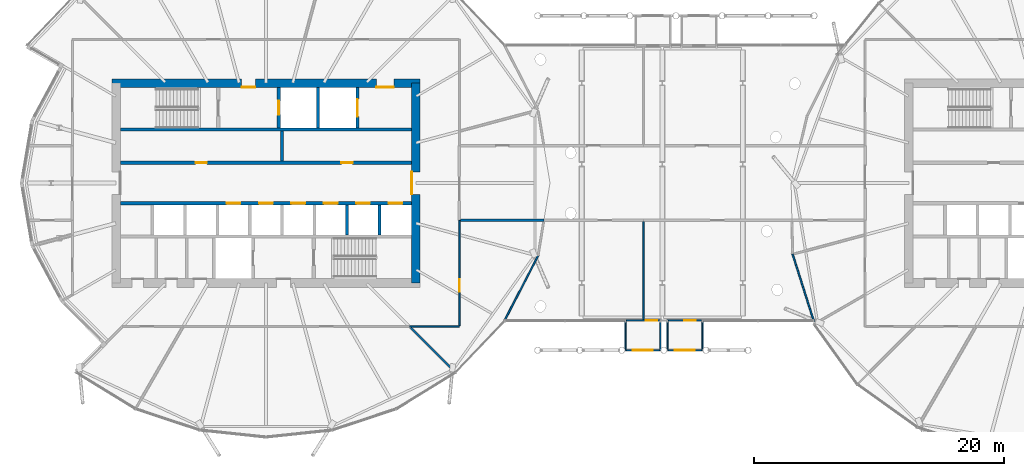
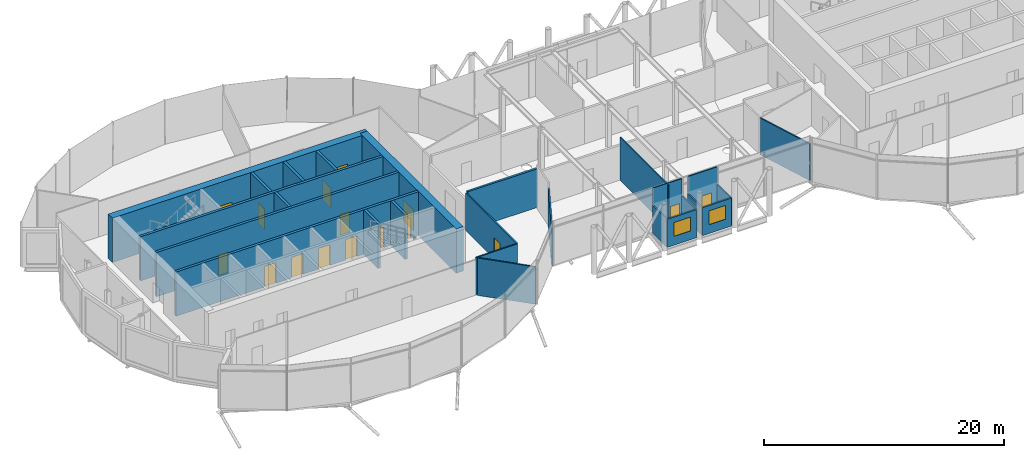
# One storey, part 23 of 36: 26 walls, 16 doors, 2 windows, 18 openings.
"""IFC4 building model written with IfcOpenShell, lengths in metres."""

from ifc_helpers import new_model, si_unit, direction, frame, frame_2d, origin, place, context, subcontext, project, spatial, rectangle, extrude, material, layer, layer_set, type_object, element, fill, save


model = new_model("IFC4")

# Units and contexts
model_context = context("Model", 3, precision=1e-05, world=origin(), true_north=direction((0.0, 1.0)))
body_context = subcontext(model_context, "Body", "Model", "MODEL_VIEW")
ifc_project = project(units=[si_unit("LENGTHUNIT", "METRE"), si_unit("AREAUNIT", "SQUARE_METRE"), si_unit("VOLUMEUNIT", "CUBIC_METRE"), si_unit("PLANEANGLEUNIT", "RADIAN"), si_unit("MASSUNIT", "GRAM", prefix="KILO")], contexts=[model_context])

# Site, building, storey
site_placement = place(None, origin())
site = spatial("IfcSite", under=ifc_project, at=site_placement, CompositionType="ELEMENT")
building_placement = place(site_placement, origin())
building = spatial("IfcBuilding", under=site, at=building_placement, Name="Rimbun Link Towers", CompositionType="ELEMENT")
storey_placement = place(building_placement, frame((0.0, 0.0, 154.39990234375)))
storey = spatial("IfcBuildingStorey", under=building, at=storey_placement, Name="L37", CompositionType="ELEMENT", Elevation=154.39990234375)

# Wall
ifc_material_1 = material(Name="Terracotta-faced insulated sandwich panel", Category="masonry")
ifc_layer_1 = layer(ifc_material_1, 0.10009765625)
ifc_layer_set_1 = layer_set([ifc_layer_1], Name="CAPSULE shell panel 100")
wall_type_1 = type_object("IfcWallType", Name="CAPSULE shell panel 100", PredefinedType="STANDARD", material=ifc_layer_set_1)
wall_1_placement = place(storey_placement, frame((-2.95556640625, -11.0, -0.059814453125), z_axis=(0.0, 0.0, 1.0), x_axis=(0.0, -1.0, 0.0)))
element("IfcWall", 1, at=wall_1_placement, inside=storey, type_object=wall_type_1, Name="CAPSULE F37.11 shell panel 1", PredefinedType="STANDARD", context=body_context, shape_type="SweptSolid", body=[
    extrude(rectangle(XDim=2.39990234375, YDim=0.10009765625, at=frame_2d((1.199951171875, 0.0))), origin(), (0.0, 0.0, 1.0), 2.849853515625),
])

# Wall, opening, window
wall_2_placement = place(storey_placement, frame((-2.95556640625, -13.39990234375, -0.059814453125), z_axis=(0.0, 0.0, 1.0), x_axis=(1.0, 0.0, 0.0)))
wall_2 = element("IfcWall", 2, at=wall_2_placement, inside=storey, type_object=wall_type_1, Name="CAPSULE F37.11 shell panel 2", PredefinedType="STANDARD", context=body_context, shape_type="SweptSolid", body=[
    extrude(rectangle(XDim=2.7998046875, YDim=0.10009765625, at=frame_2d((1.39990234375, 0.0))), origin(), (0.0, 0.0, 1.0), 2.849853515625),
])
opening_1_placement = place(wall_2_placement, frame((0.60009765625, 0.0, 0.89990234375)))
opening_1 = element("IfcOpeningElement", 3, at=opening_1_placement, cuts=wall_2, Name="Opening CN37.11", PredefinedType="OPENING", context=body_context, shape_type="SweptSolid", body=[
    extrude(rectangle(XDim=1.60009765625, YDim=1.39990234375, at=frame_2d((0.800048828125, 0.699951171875))), frame((0.0, 0.06005859375, 0.0), z_axis=(0.0, -1.0, 0.0), x_axis=(1.0, 0.0, 0.0)), (0.0, 0.0, 1.0), 0.1201171875),
])
ifc_material_2 = material(Name="Aluminium framed window, low-iron glass", Category="aluminium")
window_type = type_object("IfcWindowType", Name="CAPSULE window 1600X1400", PartitioningType="SINGLE_PANEL", PredefinedType="WINDOW", material=ifc_material_2)
window_1_placement = place(opening_1_placement, origin())
window_1 = element("IfcWindow", 4, at=window_1_placement, inside=storey, type_object=window_type, Name="CAPSULE F37.11 window", OverallHeight=1.39990234375, OverallWidth=1.60009765625, PartitioningType="SINGLE_PANEL", PredefinedType="WINDOW", context=body_context, shape_type="SweptSolid", body=[
    extrude(rectangle(XDim=1.60009765625, YDim=1.39990234375, at=frame_2d((0.800048828125, 0.699951171875))), frame((0.0, 0.030029296875, 0.0), z_axis=(0.0, -1.0, 0.0), x_axis=(1.0, 0.0, 0.0)), (0.0, 0.0, 1.0), 0.06005859375),
])
fill(opening_1, window_1)

# Wall
wall_3_placement = place(storey_placement, frame((-0.15576171875, -13.39990234375, -0.059814453125), z_axis=(0.0, 0.0, 1.0), x_axis=(0.0, 1.0, 0.0)))
element("IfcWall", 5, at=wall_3_placement, inside=storey, type_object=wall_type_1, Name="CAPSULE F37.11 shell panel 3", PredefinedType="STANDARD", context=body_context, shape_type="SweptSolid", body=[
    extrude(rectangle(XDim=2.39990234375, YDim=0.10009765625, at=frame_2d((1.199951171875, 0.0))), origin(), (0.0, 0.0, 1.0), 2.849853515625),
])

# Wall, opening, door
wall_4_placement = place(storey_placement, frame((-0.15576171875, -11.0, -0.059814453125), z_axis=(0.0, 0.0, 1.0), x_axis=(-1.0, 0.0, 0.0)))
wall_4 = element("IfcWall", 6, at=wall_4_placement, inside=storey, type_object=wall_type_1, Name="CAPSULE F37.11 shell panel 4", PredefinedType="STANDARD", context=body_context, shape_type="SweptSolid", body=[
    extrude(rectangle(XDim=2.7998046875, YDim=0.10009765625, at=frame_2d((1.39990234375, 0.0))), origin(), (0.0, 0.0, 1.0), 4.559814453125),
])
opening_2_placement = place(wall_4_placement, frame((0.25, 0.0, 0.0)))
opening_2 = element("IfcOpeningElement", 7, at=opening_2_placement, cuts=wall_4, Name="Opening CD37.11", PredefinedType="OPENING", context=body_context, shape_type="SweptSolid", body=[
    extrude(rectangle(XDim=0.89990234375, YDim=2.10009765625, at=frame_2d((0.449951171875, 1.050048828125))), frame((0.0, 0.06005859375, 0.0), z_axis=(0.0, -1.0, 0.0), x_axis=(1.0, 0.0, 0.0)), (0.0, 0.0, 1.0), 0.1201171875),
])
ifc_material_3 = material(Name="Aluminium framed insulated door leaf", Category="aluminium")
door_type_1 = type_object("IfcDoorType", Name="CAPSULE door single leaf 900X2100", OperationType="SINGLE_SWING_LEFT", PredefinedType="DOOR", material=ifc_material_3)
door_1_placement = place(opening_2_placement, origin())
door_1 = element("IfcDoor", 8, at=door_1_placement, inside=storey, type_object=door_type_1, Name="CAPSULE F37.11 door", OperationType="SINGLE_SWING_RIGHT", OverallHeight=2.10009765625, OverallWidth=0.89990234375, PredefinedType="DOOR", context=body_context, shape_type="SweptSolid", body=[
    extrude(rectangle(XDim=0.89990234375, YDim=2.10009765625, at=frame_2d((0.449951171875, 1.050048828125))), frame((0.0, 0.02490234375, 0.0), z_axis=(0.0, -1.0, 0.0), x_axis=(1.0, 0.0, 0.0)), (0.0, 0.0, 1.0), 0.050048828125),
])
fill(opening_2, door_1)

# Wall
wall_5_placement = place(storey_placement, frame((0.413330078125, -11.0, -0.059814453125), z_axis=(0.0, 0.0, 1.0), x_axis=(0.0, -1.0, 0.0)))
element("IfcWall", 9, at=wall_5_placement, inside=storey, type_object=wall_type_1, Name="CAPSULE F37.12 shell panel 1", PredefinedType="STANDARD", context=body_context, shape_type="SweptSolid", body=[
    extrude(rectangle(XDim=2.39990234375, YDim=0.10009765625, at=frame_2d((1.199951171875, 0.0))), origin(), (0.0, 0.0, 1.0), 2.849853515625),
])

# Wall, opening, window
wall_6_placement = place(storey_placement, frame((0.413330078125, -13.39990234375, -0.059814453125), z_axis=(0.0, 0.0, 1.0), x_axis=(1.0, 0.0, 0.0)))
wall_6 = element("IfcWall", 10, at=wall_6_placement, inside=storey, type_object=wall_type_1, Name="CAPSULE F37.12 shell panel 2", PredefinedType="STANDARD", context=body_context, shape_type="SweptSolid", body=[
    extrude(rectangle(XDim=2.800048828125, YDim=0.10009765625, at=frame_2d((1.39990234375, 0.0))), origin(), (0.0, 0.0, 1.0), 2.849853515625),
])
opening_3_placement = place(wall_6_placement, frame((0.60009765625, 0.0, 0.89990234375)))
opening_3 = element("IfcOpeningElement", 11, at=opening_3_placement, cuts=wall_6, Name="Opening CN37.12", PredefinedType="OPENING", context=body_context, shape_type="SweptSolid", body=[
    extrude(rectangle(XDim=1.60009765625, YDim=1.39990234375, at=frame_2d((0.800048828125, 0.699951171875))), frame((0.0, 0.06005859375, 0.0), z_axis=(0.0, -1.0, 0.0), x_axis=(1.0, 0.0, 0.0)), (0.0, 0.0, 1.0), 0.1201171875),
])
window_2_placement = place(opening_3_placement, origin())
window_2 = element("IfcWindow", 12, at=window_2_placement, inside=storey, type_object=window_type, Name="CAPSULE F37.12 window", OverallHeight=1.39990234375, OverallWidth=1.60009765625, PartitioningType="SINGLE_PANEL", PredefinedType="WINDOW", context=body_context, shape_type="SweptSolid", body=[
    extrude(rectangle(XDim=1.60009765625, YDim=1.39990234375, at=frame_2d((0.800048828125, 0.699951171875))), frame((0.0, 0.030029296875, 0.0), z_axis=(0.0, -1.0, 0.0), x_axis=(1.0, 0.0, 0.0)), (0.0, 0.0, 1.0), 0.06005859375),
])
fill(opening_3, window_2)

# Wall
wall_7_placement = place(storey_placement, frame((3.21337890625, -13.39990234375, -0.059814453125), z_axis=(0.0, 0.0, 1.0), x_axis=(0.0, 1.0, 0.0)))
element("IfcWall", 13, at=wall_7_placement, inside=storey, type_object=wall_type_1, Name="CAPSULE F37.12 shell panel 3", PredefinedType="STANDARD", context=body_context, shape_type="SweptSolid", body=[
    extrude(rectangle(XDim=2.39990234375, YDim=0.10009765625, at=frame_2d((1.199951171875, 0.0))), origin(), (0.0, 0.0, 1.0), 2.849853515625),
])

# Wall, opening, door
wall_8_placement = place(storey_placement, frame((3.21337890625, -11.0, -0.059814453125), z_axis=(0.0, 0.0, 1.0), x_axis=(-1.0, 0.0, 0.0)))
wall_8 = element("IfcWall", 14, at=wall_8_placement, inside=storey, type_object=wall_type_1, Name="CAPSULE F37.12 shell panel 4", PredefinedType="STANDARD", context=body_context, shape_type="SweptSolid", body=[
    extrude(rectangle(XDim=2.800048828125, YDim=0.10009765625, at=frame_2d((1.39990234375, 0.0))), origin(), (0.0, 0.0, 1.0), 4.559814453125),
])
opening_4_placement = place(wall_8_placement, frame((0.550048828125, 0.0, 0.0)))
opening_4 = element("IfcOpeningElement", 15, at=opening_4_placement, cuts=wall_8, Name="Opening CD37.12", PredefinedType="OPENING", context=body_context, shape_type="SweptSolid", body=[
    extrude(rectangle(XDim=0.89990234375, YDim=2.10009765625, at=frame_2d((0.449951171875, 1.050048828125))), frame((0.0, 0.06005859375, 0.0), z_axis=(0.0, -1.0, 0.0), x_axis=(1.0, 0.0, 0.0)), (0.0, 0.0, 1.0), 0.1201171875),
])
door_2_placement = place(opening_4_placement, origin())
door_2 = element("IfcDoor", 16, at=door_2_placement, inside=storey, type_object=door_type_1, Name="CAPSULE F37.12 door", OperationType="SINGLE_SWING_LEFT", OverallHeight=2.10009765625, OverallWidth=0.89990234375, PredefinedType="DOOR", context=body_context, shape_type="SweptSolid", body=[
    extrude(rectangle(XDim=0.89990234375, YDim=2.10009765625, at=frame_2d((0.449951171875, 1.050048828125))), frame((0.0, 0.02490234375, 0.0), z_axis=(0.0, -1.0, 0.0), x_axis=(1.0, 0.0, 0.0)), (0.0, 0.0, 1.0), 0.050048828125),
])
fill(opening_4, door_2)

# Wall, openings, doors
ifc_material_4 = material(Name="Concrete C60/75", Category="concrete")
ifc_layer_2 = layer(ifc_material_4, 0.699951171875)
ifc_layer_set_2 = layer_set([ifc_layer_2], Name="Core shear wall 700")
wall_type_2 = type_object("IfcWallType", Name="Core shear wall 700", PredefinedType="SHEAR", material=ifc_layer_set_2)
wall_9_placement = place(storey_placement, frame((-44.10009765625, 8.0, 0.0), z_axis=(0.0, 0.0, 1.0), x_axis=(1.0, 0.0, 0.0)))
wall_9 = element("IfcWall", 17, at=wall_9_placement, inside=storey, type_object=wall_type_2, Name="L37 T1 core wall N", PredefinedType="SHEAR", context=body_context, shape_type="SweptSolid", body=[
    extrude(rectangle(XDim=24.7001953125, YDim=0.699951171875, at=frame_2d((12.35009765625, 0.0))), origin(), (0.0, 0.0, 1.0), 4.5),
])
opening_5_placement = place(wall_9_placement, frame((10.39990234375, 0.0, 0.0)))
opening_5 = element("IfcOpeningElement", 18, at=opening_5_placement, cuts=wall_9, Name="Opening C1DCF01N", PredefinedType="OPENING", context=body_context, shape_type="SweptSolid", body=[
    extrude(rectangle(XDim=1.10009765625, YDim=2.10009765625, at=frame_2d((0.550048828125, 1.050048828125))), frame((0.0, 0.35986328125, 0.0), z_axis=(0.0, -1.0, 0.0), x_axis=(1.0, 0.0, 0.0)), (0.0, 0.0, 1.0), 0.719970703125),
])
opening_6_placement = place(wall_9_placement, frame((21.199951171875, 0.0, 0.0)))
opening_6 = element("IfcOpeningElement", 19, at=opening_6_placement, cuts=wall_9, Name="Opening C1DSL02N", PredefinedType="OPENING", context=body_context, shape_type="SweptSolid", body=[
    extrude(rectangle(XDim=1.39990234375, YDim=2.10009765625, at=frame_2d((0.699951171875, 1.050048828125))), frame((0.0, 0.35986328125, 0.0), z_axis=(0.0, -1.0, 0.0), x_axis=(1.0, 0.0, 0.0)), (0.0, 0.0, 1.0), 0.719970703125),
])
ifc_material_5 = material(Name="Steel fire door set", Category="steel")
door_type_2 = type_object("IfcDoorType", Name="Core fire door single", OperationType="SINGLE_SWING_LEFT", PredefinedType="DOOR", material=ifc_material_5)
door_3_placement = place(opening_5_placement, origin())
door_3 = element("IfcDoor", 20, at=door_3_placement, inside=storey, type_object=door_type_2, Name="L37 T1 firefighting lobby n door", OperationType="SINGLE_SWING_LEFT", OverallHeight=2.10009765625, OverallWidth=1.10009765625, PredefinedType="DOOR", context=body_context, shape_type="SweptSolid", body=[
    extrude(rectangle(XDim=1.10009765625, YDim=2.10009765625, at=frame_2d((0.550048828125, 1.050048828125))), frame((0.0, -0.2998046875, 0.0), z_axis=(0.0, -1.0, 0.0), x_axis=(1.0, 0.0, 0.0)), (0.0, 0.0, 1.0), 0.050048828125),
])
fill(opening_5, door_3)
ifc_material_6 = material(Name="Steel fire door set", Category="steel")
door_type_3 = type_object("IfcDoorType", Name="Service lobby door double", OperationType="DOUBLE_DOOR_SINGLE_SWING", PredefinedType="DOOR", material=ifc_material_6)
door_4_placement = place(opening_6_placement, origin())
door_4 = element("IfcDoor", 21, at=door_4_placement, inside=storey, type_object=door_type_3, Name="L37 T1 service lobby door", OperationType="DOUBLE_DOOR_SINGLE_SWING", OverallHeight=2.10009765625, OverallWidth=1.39990234375, PredefinedType="DOOR", context=body_context, shape_type="SweptSolid", body=[
    extrude(rectangle(XDim=1.39990234375, YDim=2.10009765625, at=frame_2d((0.699951171875, 1.050048828125))), frame((0.0, -0.2998046875, 0.0), z_axis=(0.0, -1.0, 0.0), x_axis=(1.0, 0.0, 0.0)), (0.0, 0.0, 1.0), 0.050048828125),
])
fill(opening_6, door_4)

# Wall, opening, door
wall_10_placement = place(storey_placement, frame((-19.75, -8.0, 0.0), z_axis=(0.0, 0.0, 1.0), x_axis=(0.0, 1.0, 0.0)))
wall_10 = element("IfcWall", 22, at=wall_10_placement, inside=storey, type_object=wall_type_2, Name="L37 T1 core wall E", PredefinedType="SHEAR", context=body_context, shape_type="SweptSolid", body=[
    extrude(rectangle(XDim=16.0, YDim=0.699951171875, at=frame_2d((8.0, 0.0))), origin(), (0.0, 0.0, 1.0), 4.5),
])
opening_7_placement = place(wall_10_placement, frame((7.10009765625, 0.0, 0.0)))
opening_7 = element("IfcOpeningElement", 23, at=opening_7_placement, cuts=wall_10, Name="Opening C1DCL01E", PredefinedType="OPENING", context=body_context, shape_type="SweptSolid", body=[
    extrude(rectangle(XDim=1.800048828125, YDim=2.10009765625, at=frame_2d((0.89990234375, 1.050048828125))), frame((0.0, 0.35986328125, 0.0), z_axis=(0.0, -1.0, 0.0), x_axis=(1.0, 0.0, 0.0)), (0.0, 0.0, 1.0), 0.719970703125),
])
ifc_material_7 = material(Name="Steel fire door set", Category="steel")
door_type_4 = type_object("IfcDoorType", Name="Core lobby door double", OperationType="DOUBLE_DOOR_SINGLE_SWING", PredefinedType="DOOR", material=ifc_material_7)
door_5_placement = place(opening_7_placement, origin())
door_5 = element("IfcDoor", 24, at=door_5_placement, inside=storey, type_object=door_type_4, Name="L37 T1 lift lobby door", OperationType="DOUBLE_DOOR_SINGLE_SWING", OverallHeight=2.10009765625, OverallWidth=1.800048828125, PredefinedType="DOOR", context=body_context, shape_type="SweptSolid", body=[
    extrude(rectangle(XDim=1.800048828125, YDim=2.10009765625, at=frame_2d((0.89990234375, 1.050048828125))), frame((0.0, 0.35009765625, 0.0), z_axis=(0.0, -1.0, 0.0), x_axis=(1.0, 0.0, 0.0)), (0.0, 0.0, 1.0), 0.050048828125),
])
fill(opening_7, door_5)

# Walls
ifc_material_8 = material(Name="Concrete blockwork", Category="masonry")
ifc_layer_3 = layer(ifc_material_8, 0.199951171875)
ifc_layer_set_3 = layer_set([ifc_layer_3], Name="Fire partition 200 blockwork")
wall_type_3 = type_object("IfcWallType", Name="Fire partition 200 blockwork", PredefinedType="PARTITIONING", material=ifc_layer_set_3)
wall_11_placement = place(storey_placement, frame((-16.14990234375, -3.0, 0.0), z_axis=(0.0, 0.0, 1.0), x_axis=(1.0, 0.0, 0.0)))
element("IfcWall", 25, at=wall_11_placement, inside=storey, type_object=wall_type_3, Name="TW/PW/L37/022", PredefinedType="PARTITIONING", context=body_context, shape_type="SweptSolid", body=[
    extrude(rectangle(XDim=6.66015625, YDim=0.199951171875, at=frame_2d((3.330078125, 0.0))), origin(), (0.0, 0.0, 1.0), 3.924072265625),
])
ifc_material_9 = material(Name="Gypsum board on steel studs", Category="steel")
ifc_layer_4 = layer(ifc_material_9, 0.125)
ifc_layer_set_4 = layer_set([ifc_layer_4], Name="Partition 125 board on studs")
wall_type_4 = type_object("IfcWallType", Name="Partition 125 board on studs", PredefinedType="PARTITIONING", material=ifc_layer_set_4)
wall_12_placement = place(storey_placement, frame((-20.25, -11.5, 0.0), z_axis=(0.0, 0.0, 1.0), x_axis=(1.0, 0.0, 0.0)))
element("IfcWall", 26, at=wall_12_placement, inside=storey, type_object=wall_type_4, Name="TW/PW/L37/013", PredefinedType="PARTITIONING", context=body_context, shape_type="SweptSolid", body=[
    extrude(rectangle(XDim=4.0, YDim=0.125, at=frame_2d((2.0, 0.0))), origin(), (0.0, 0.0, 1.0), 3.797119140625),
])

# Wall, opening, door
wall_13_placement = place(storey_placement, frame((-16.25, -11.4375, 0.0), z_axis=(0.0, 0.0, 1.0), x_axis=(0.0, 1.0, 0.0)))
wall_13 = element("IfcWall", 27, at=wall_13_placement, inside=storey, type_object=wall_type_4, Name="TW/PW/L37/014", PredefinedType="PARTITIONING", context=body_context, shape_type="SweptSolid", body=[
    extrude(rectangle(XDim=8.4375, YDim=0.125, at=frame_2d((4.21875, 0.0))), origin(), (0.0, 0.0, 1.0), 3.797119140625),
])
opening_8_placement = place(wall_13_placement, frame((2.738037109375, 0.0, 0.0)))
opening_8 = element("IfcOpeningElement", 28, at=opening_8_placement, cuts=wall_13, Name="Opening TW D37.05", PredefinedType="OPENING", context=body_context, shape_type="SweptSolid", body=[
    extrude(rectangle(XDim=1.0, YDim=2.10009765625, at=frame_2d((0.5, 1.050048828125))), frame((0.0, 0.072509765625, 0.0), z_axis=(0.0, -1.0, 0.0), x_axis=(1.0, 0.0, 0.0)), (0.0, 0.0, 1.0), 0.14501953125),
])
ifc_material_10 = material(Name="Timber door set", Category="wood")
door_type_5 = type_object("IfcDoorType", Name="Door single leaf 1000 x 2100", OperationType="NOTDEFINED", PredefinedType="DOOR", material=ifc_material_10)
door_6_placement = place(opening_8_placement, origin())
door_6 = element("IfcDoor", 29, at=door_6_placement, inside=storey, type_object=door_type_5, Name="TW/DR/L37/005", OperationType="SINGLE_SWING_RIGHT", OverallHeight=2.10009765625, OverallWidth=1.0, PredefinedType="DOOR", context=body_context, shape_type="SweptSolid", body=[
    extrude(rectangle(XDim=1.0, YDim=2.10009765625, at=frame_2d((0.5, 1.050048828125))), frame((0.0, 0.02490234375, 0.0), z_axis=(0.0, -1.0, 0.0), x_axis=(1.0, 0.0, 0.0)), (0.0, 0.0, 1.0), 0.050048828125),
])
fill(opening_8, door_6)

# Walls
wall_14_placement = place(storey_placement, frame((-16.595703125, -15.154296875, 0.0), z_axis=(0.0, 0.0, 1.0), x_axis=(-0.707106781187, 0.707106781187, 0.0)))
element("IfcWall", 30, at=wall_14_placement, inside=storey, type_object=wall_type_4, Name="TW/PW/L37/027", PredefinedType="PARTITIONING", context=body_context, shape_type="SweptSolid", body=[
    extrude(rectangle(XDim=5.01708984375, YDim=0.125, at=frame_2d((2.508544921875, 0.0))), origin(), (0.0, 0.0, 1.0), 3.797119140625),
])
wall_15_placement = place(storey_placement, frame((-12.663818359375, -11.071044921875, 0.0), z_axis=(0.0, 0.0, 1.0), x_axis=(0.459568637938, 0.888142256074, 0.0)))
element("IfcWall", 31, at=wall_15_placement, inside=storey, type_object=wall_type_4, Name="TW/PW/L37/030", PredefinedType="PARTITIONING", context=body_context, shape_type="SweptSolid", body=[
    extrude(rectangle(XDim=5.970703125, YDim=0.125, at=frame_2d((2.9853515625, 0.0))), origin(), (0.0, 0.0, 1.0), 3.797119140625),
])
wall_16_placement = place(storey_placement, frame((10.43603515625, -5.70068359375, 0.0), z_axis=(0.0, 0.0, 1.0), x_axis=(0.303057162415, -0.952972379615, 0.0)))
element("IfcWall", 32, at=wall_16_placement, inside=storey, type_object=wall_type_4, Name="TW/PW/L37/054", PredefinedType="PARTITIONING", context=body_context, shape_type="SweptSolid", body=[
    extrude(rectangle(XDim=5.640869140625, YDim=0.125, at=frame_2d((2.8203125, 0.0))), origin(), (0.0, 0.0, 1.0), 3.72705078125),
])
wall_17_placement = place(storey_placement, frame((-1.5, -11.080078125, 0.0), z_axis=(0.0, 0.0, 1.0), x_axis=(0.0, 1.0, 0.0)))
element("IfcWall", 33, at=wall_17_placement, inside=storey, type_object=wall_type_4, Name="TW/PW/L37/065", PredefinedType="PARTITIONING", context=body_context, shape_type="SweptSolid", body=[
    extrude(rectangle(XDim=7.97998046875, YDim=0.125, at=frame_2d((3.989990234375, 0.0))), origin(), (0.0, 0.0, 1.0), 4.35009765625),
])
ifc_material_11 = material(Name="Concrete C60/75", Category="concrete")
ifc_layer_5 = layer(ifc_material_11, 0.25)
ifc_layer_set_5 = layer_set([ifc_layer_5], Name="Shaft wall 250")
wall_type_5 = type_object("IfcWallType", Name="Shaft wall 250", PredefinedType="SHEAR", material=ifc_layer_set_5)
wall_18_placement = place(storey_placement, frame((-43.39990234375, 4.27490234375, 0.0), z_axis=(0.0, 0.0, 1.0), x_axis=(1.0, 0.0, 0.0)))
element("IfcWall", 34, at=wall_18_placement, inside=storey, type_object=wall_type_5, Name="L37 T1 core wall BN", PredefinedType="SHEAR", context=body_context, shape_type="SweptSolid", body=[
    extrude(rectangle(XDim=23.2998046875, YDim=0.25, at=frame_2d((11.64990234375, 0.0))), origin(), (0.0, 0.0, 1.0), 4.5),
])

# Wall, openings, doors
wall_19_placement = place(storey_placement, frame((-43.39990234375, 1.625, 0.0), z_axis=(0.0, 0.0, 1.0), x_axis=(1.0, 0.0, 0.0)))
wall_19 = element("IfcWall", 35, at=wall_19_placement, inside=storey, type_object=wall_type_5, Name="L37 T1 core wall FN", PredefinedType="SHEAR", context=body_context, shape_type="SweptSolid", body=[
    extrude(rectangle(XDim=23.2998046875, YDim=0.25, at=frame_2d((11.64990234375, 0.0))), origin(), (0.0, 0.0, 1.0), 4.5),
])
opening_9_placement = place(wall_19_placement, frame((6.010986328125, 0.0, 0.0)))
opening_9 = element("IfcOpeningElement", 36, at=opening_9_placement, cuts=wall_19, Name="Opening C1DRS01FN", PredefinedType="OPENING", context=body_context, shape_type="SweptSolid", body=[
    extrude(rectangle(XDim=0.89990234375, YDim=2.10009765625, at=frame_2d((0.449951171875, 1.050048828125))), frame((0.0, 0.135009765625, 0.0), z_axis=(0.0, -1.0, 0.0), x_axis=(1.0, 0.0, 0.0)), (0.0, 0.0, 1.0), 0.27001953125),
])
opening_10_placement = place(wall_19_placement, frame((17.68603515625, 0.0, 0.0)))
opening_10 = element("IfcOpeningElement", 37, at=opening_10_placement, cuts=wall_19, Name="Opening C1DRS02FN", PredefinedType="OPENING", context=body_context, shape_type="SweptSolid", body=[
    extrude(rectangle(XDim=0.89990234375, YDim=2.10009765625, at=frame_2d((0.449951171875, 1.050048828125))), frame((0.0, 0.135009765625, 0.0), z_axis=(0.0, -1.0, 0.0), x_axis=(1.0, 0.0, 0.0)), (0.0, 0.0, 1.0), 0.27001953125),
])
ifc_material_12 = material(Name="Steel fire door set", Category="steel")
door_type_6 = type_object("IfcDoorType", Name="Core riser door", OperationType="SINGLE_SWING_LEFT", PredefinedType="DOOR", material=ifc_material_12)
door_7_placement = place(opening_9_placement, origin())
door_7 = element("IfcDoor", 38, at=door_7_placement, inside=storey, type_object=door_type_6, Name="L37 T1 data room door", OperationType="SINGLE_SWING_RIGHT", OverallHeight=2.10009765625, OverallWidth=0.89990234375, PredefinedType="DOOR", context=body_context, shape_type="SweptSolid", body=[
    extrude(rectangle(XDim=0.89990234375, YDim=2.10009765625, at=frame_2d((0.449951171875, 1.050048828125))), frame((0.0, 0.02490234375, 0.0), z_axis=(0.0, -1.0, 0.0), x_axis=(1.0, 0.0, 0.0)), (0.0, 0.0, 1.0), 0.050048828125),
])
fill(opening_9, door_7)
door_8_placement = place(opening_10_placement, origin())
door_8 = element("IfcDoor", 39, at=door_8_placement, inside=storey, type_object=door_type_6, Name="L37 T1 meeting room door", OperationType="SINGLE_SWING_LEFT", OverallHeight=2.10009765625, OverallWidth=0.89990234375, PredefinedType="DOOR", context=body_context, shape_type="SweptSolid", body=[
    extrude(rectangle(XDim=0.89990234375, YDim=2.10009765625, at=frame_2d((0.449951171875, 1.050048828125))), frame((0.0, 0.02490234375, 0.0), z_axis=(0.0, -1.0, 0.0), x_axis=(1.0, 0.0, 0.0)), (0.0, 0.0, 1.0), 0.050048828125),
])
fill(opening_10, door_8)

wall_20_placement = place(storey_placement, frame((-43.39990234375, -1.625, 0.0), z_axis=(0.0, 0.0, 1.0), x_axis=(1.0, 0.0, 0.0)))
wall_20 = element("IfcWall", 40, at=wall_20_placement, inside=storey, type_object=wall_type_5, Name="L37 T1 core wall FS", PredefinedType="SHEAR", context=body_context, shape_type="SweptSolid", body=[
    extrude(rectangle(XDim=23.2998046875, YDim=0.25, at=frame_2d((11.64990234375, 0.0))), origin(), (0.0, 0.0, 1.0), 4.5),
])
opening_11_placement = place(wall_20_placement, frame((8.505615234375, 0.0, 0.0)))
opening_11 = element("IfcOpeningElement", 41, at=opening_11_placement, cuts=wall_20, Name="Opening LD-T1-HR1", PredefinedType="OPENING", context=body_context, shape_type="SweptSolid", body=[
    extrude(rectangle(XDim=1.10009765625, YDim=2.10009765625, at=frame_2d((0.550048828125, 1.050048828125))), frame((0.0, 0.135009765625, 0.0), z_axis=(0.0, -1.0, 0.0), x_axis=(1.0, 0.0, 0.0)), (0.0, 0.0, 1.0), 0.27001953125),
])
opening_12_placement = place(wall_20_placement, frame((11.10009765625, 0.0, 0.0)))
opening_12 = element("IfcOpeningElement", 42, at=opening_12_placement, cuts=wall_20, Name="Opening LD-T1-HR2", PredefinedType="OPENING", context=body_context, shape_type="SweptSolid", body=[
    extrude(rectangle(XDim=1.10009765625, YDim=2.10009765625, at=frame_2d((0.550048828125, 1.050048828125))), frame((0.0, 0.135009765625, 0.0), z_axis=(0.0, -1.0, 0.0), x_axis=(1.0, 0.0, 0.0)), (0.0, 0.0, 1.0), 0.27001953125),
])
opening_13_placement = place(wall_20_placement, frame((13.6943359375, 0.0, 0.0)))
opening_13 = element("IfcOpeningElement", 43, at=opening_13_placement, cuts=wall_20, Name="Opening LD-T1-HR3", PredefinedType="OPENING", context=body_context, shape_type="SweptSolid", body=[
    extrude(rectangle(XDim=1.10009765625, YDim=2.10009765625, at=frame_2d((0.550048828125, 1.050048828125))), frame((0.0, 0.135009765625, 0.0), z_axis=(0.0, -1.0, 0.0), x_axis=(1.0, 0.0, 0.0)), (0.0, 0.0, 1.0), 0.27001953125),
])
opening_14_placement = place(wall_20_placement, frame((16.288818359375, 0.0, 0.0)))
opening_14 = element("IfcOpeningElement", 44, at=opening_14_placement, cuts=wall_20, Name="Opening LD-T1-HR4", PredefinedType="OPENING", context=body_context, shape_type="SweptSolid", body=[
    extrude(rectangle(XDim=1.10009765625, YDim=2.10009765625, at=frame_2d((0.550048828125, 1.050048828125))), frame((0.0, 0.135009765625, 0.0), z_axis=(0.0, -1.0, 0.0), x_axis=(1.0, 0.0, 0.0)), (0.0, 0.0, 1.0), 0.27001953125),
])
opening_15_placement = place(wall_20_placement, frame((18.88330078125, 0.0, 0.0)))
opening_15 = element("IfcOpeningElement", 45, at=opening_15_placement, cuts=wall_20, Name="Opening LD-T1-HR5", PredefinedType="OPENING", context=body_context, shape_type="SweptSolid", body=[
    extrude(rectangle(XDim=1.10009765625, YDim=2.10009765625, at=frame_2d((0.550048828125, 1.050048828125))), frame((0.0, 0.135009765625, 0.0), z_axis=(0.0, -1.0, 0.0), x_axis=(1.0, 0.0, 0.0)), (0.0, 0.0, 1.0), 0.27001953125),
])
opening_16_placement = place(wall_20_placement, frame((21.477783203125, 0.0, 0.0)))
opening_16 = element("IfcOpeningElement", 46, at=opening_16_placement, cuts=wall_20, Name="Opening LD-T1-HR6", PredefinedType="OPENING", context=body_context, shape_type="SweptSolid", body=[
    extrude(rectangle(XDim=1.10009765625, YDim=2.10009765625, at=frame_2d((0.550048828125, 1.050048828125))), frame((0.0, 0.135009765625, 0.0), z_axis=(0.0, -1.0, 0.0), x_axis=(1.0, 0.0, 0.0)), (0.0, 0.0, 1.0), 0.27001953125),
])
ifc_material_13 = material(Name="Stainless steel grade 316", Category="steel")
door_type_7 = type_object("IfcDoorType", Name="Lift landing door", OperationType="DOUBLE_DOOR_SLIDING", PredefinedType="DOOR", material=ifc_material_13)
door_9_placement = place(opening_11_placement, origin())
door_9 = element("IfcDoor", 47, at=door_9_placement, inside=storey, type_object=door_type_7, Name="L37 T1 lift HR1 landing door", OperationType="DOUBLE_DOOR_SLIDING", OverallHeight=2.10009765625, OverallWidth=1.10009765625, PredefinedType="DOOR", context=body_context, shape_type="SweptSolid", body=[
    extrude(rectangle(XDim=1.10009765625, YDim=2.10009765625, at=frame_2d((0.550048828125, 1.050048828125))), frame((0.0, 0.02490234375, 0.0), z_axis=(0.0, -1.0, 0.0), x_axis=(1.0, 0.0, 0.0)), (0.0, 0.0, 1.0), 0.050048828125),
])
fill(opening_11, door_9)
door_10_placement = place(opening_12_placement, origin())
door_10 = element("IfcDoor", 48, at=door_10_placement, inside=storey, type_object=door_type_7, Name="L37 T1 lift HR2 landing door", OperationType="DOUBLE_DOOR_SLIDING", OverallHeight=2.10009765625, OverallWidth=1.10009765625, PredefinedType="DOOR", context=body_context, shape_type="SweptSolid", body=[
    extrude(rectangle(XDim=1.10009765625, YDim=2.10009765625, at=frame_2d((0.550048828125, 1.050048828125))), frame((0.0, 0.02490234375, 0.0), z_axis=(0.0, -1.0, 0.0), x_axis=(1.0, 0.0, 0.0)), (0.0, 0.0, 1.0), 0.050048828125),
])
fill(opening_12, door_10)
door_11_placement = place(opening_13_placement, origin())
door_11 = element("IfcDoor", 49, at=door_11_placement, inside=storey, type_object=door_type_7, Name="L37 T1 lift HR3 landing door", OperationType="DOUBLE_DOOR_SLIDING", OverallHeight=2.10009765625, OverallWidth=1.10009765625, PredefinedType="DOOR", context=body_context, shape_type="SweptSolid", body=[
    extrude(rectangle(XDim=1.10009765625, YDim=2.10009765625, at=frame_2d((0.550048828125, 1.050048828125))), frame((0.0, 0.02490234375, 0.0), z_axis=(0.0, -1.0, 0.0), x_axis=(1.0, 0.0, 0.0)), (0.0, 0.0, 1.0), 0.050048828125),
])
fill(opening_13, door_11)
door_12_placement = place(opening_14_placement, origin())
door_12 = element("IfcDoor", 50, at=door_12_placement, inside=storey, type_object=door_type_7, Name="L37 T1 lift HR4 landing door", OperationType="DOUBLE_DOOR_SLIDING", OverallHeight=2.10009765625, OverallWidth=1.10009765625, PredefinedType="DOOR", context=body_context, shape_type="SweptSolid", body=[
    extrude(rectangle(XDim=1.10009765625, YDim=2.10009765625, at=frame_2d((0.550048828125, 1.050048828125))), frame((0.0, 0.02490234375, 0.0), z_axis=(0.0, -1.0, 0.0), x_axis=(1.0, 0.0, 0.0)), (0.0, 0.0, 1.0), 0.050048828125),
])
fill(opening_14, door_12)
door_13_placement = place(opening_15_placement, origin())
door_13 = element("IfcDoor", 51, at=door_13_placement, inside=storey, type_object=door_type_7, Name="L37 T1 lift HR5 landing door", OperationType="DOUBLE_DOOR_SLIDING", OverallHeight=2.10009765625, OverallWidth=1.10009765625, PredefinedType="DOOR", context=body_context, shape_type="SweptSolid", body=[
    extrude(rectangle(XDim=1.10009765625, YDim=2.10009765625, at=frame_2d((0.550048828125, 1.050048828125))), frame((0.0, 0.02490234375, 0.0), z_axis=(0.0, -1.0, 0.0), x_axis=(1.0, 0.0, 0.0)), (0.0, 0.0, 1.0), 0.050048828125),
])
fill(opening_15, door_13)
door_14_placement = place(opening_16_placement, origin())
door_14 = element("IfcDoor", 52, at=door_14_placement, inside=storey, type_object=door_type_7, Name="L37 T1 lift HR6 landing door", OperationType="DOUBLE_DOOR_SLIDING", OverallHeight=2.10009765625, OverallWidth=1.10009765625, PredefinedType="DOOR", context=body_context, shape_type="SweptSolid", body=[
    extrude(rectangle(XDim=1.10009765625, YDim=2.10009765625, at=frame_2d((0.550048828125, 1.050048828125))), frame((0.0, 0.02490234375, 0.0), z_axis=(0.0, -1.0, 0.0), x_axis=(1.0, 0.0, 0.0)), (0.0, 0.0, 1.0), 0.050048828125),
])
fill(opening_16, door_14)

# Walls
for number, where, z_axis, x_axis, name in (
    (53, (-30.452880859375, 1.75, 0.0), (0.0, 0.0, 1.0), (0.0, 1.0, 0.0), "L37 T1 core wall DN4"),
    (54, (-25.263916015625, -4.14990234375, 0.0), (0.0, 0.0, 1.0), (0.0, 1.0, 0.0), "L37 T1 core wall DS6"),
    (55, (-22.66943359375, -4.14990234375, 0.0), (0.0, 0.0, 1.0), (0.0, 1.0, 0.0), "L37 T1 core wall DS7"),
):
    element("IfcWall", number, at=place(storey_placement, frame(where, z_axis=z_axis, x_axis=x_axis)), inside=storey, type_object=wall_type_5, Name=name, PredefinedType="SHEAR", context=body_context, shape_type="SweptSolid", body=[
        extrude(rectangle(XDim=2.39990234375, YDim=0.25, at=frame_2d((1.199951171875, 0.0))), origin(), (0.0, 0.0, 1.0), 4.5),
    ])

# Wall, opening, door
wall_21_placement = place(storey_placement, frame((-30.72509765625, 4.39990234375, 0.0), z_axis=(0.0, 0.0, 1.0), x_axis=(0.0, 1.0, 0.0)))
wall_21 = element("IfcWall", 56, at=wall_21_placement, inside=storey, type_object=wall_type_5, Name="L37 T1 core wall A2", PredefinedType="SHEAR", context=body_context, shape_type="SweptSolid", body=[
    extrude(rectangle(XDim=3.25, YDim=0.25, at=frame_2d((1.625, 0.0))), origin(), (0.0, 0.0, 1.0), 4.5),
])
opening_17_placement = place(wall_21_placement, frame((1.074951171875, 0.0, 0.0)))
opening_17 = element("IfcOpeningElement", 57, at=opening_17_placement, cuts=wall_21, Name="Opening LD-T1-FF1", PredefinedType="OPENING", context=body_context, shape_type="SweptSolid", body=[
    extrude(rectangle(XDim=1.10009765625, YDim=2.10009765625, at=frame_2d((0.550048828125, 1.050048828125))), frame((0.0, 0.135009765625, 0.0), z_axis=(0.0, -1.0, 0.0), x_axis=(1.0, 0.0, 0.0)), (0.0, 0.0, 1.0), 0.27001953125),
])
door_15_placement = place(opening_17_placement, origin())
door_15 = element("IfcDoor", 58, at=door_15_placement, inside=storey, type_object=door_type_7, Name="L37 T1 lift FF1 landing door", OperationType="DOUBLE_DOOR_SLIDING", OverallHeight=2.10009765625, OverallWidth=1.10009765625, PredefinedType="DOOR", context=body_context, shape_type="SweptSolid", body=[
    extrude(rectangle(XDim=1.10009765625, YDim=2.10009765625, at=frame_2d((0.550048828125, 1.050048828125))), frame((0.0, 0.02490234375, 0.0), z_axis=(0.0, -1.0, 0.0), x_axis=(1.0, 0.0, 0.0)), (0.0, 0.0, 1.0), 0.050048828125),
])
fill(opening_17, door_15)

# Wall
wall_22_placement = place(storey_placement, frame((-27.574951171875, 4.39990234375, 0.0), z_axis=(0.0, 0.0, 1.0), x_axis=(0.0, 1.0, 0.0)))
element("IfcWall", 59, at=wall_22_placement, inside=storey, type_object=wall_type_5, Name="L37 T1 core wall A3", PredefinedType="SHEAR", context=body_context, shape_type="SweptSolid", body=[
    extrude(rectangle(XDim=3.25, YDim=0.25, at=frame_2d((1.625, 0.0))), origin(), (0.0, 0.0, 1.0), 4.5),
])

# Wall, opening, door
wall_23_placement = place(storey_placement, frame((-24.425048828125, 4.39990234375, 0.0), z_axis=(0.0, 0.0, 1.0), x_axis=(0.0, 1.0, 0.0)))
wall_23 = element("IfcWall", 60, at=wall_23_placement, inside=storey, type_object=wall_type_5, Name="L37 T1 core wall A4", PredefinedType="SHEAR", context=body_context, shape_type="SweptSolid", body=[
    extrude(rectangle(XDim=3.25, YDim=0.25, at=frame_2d((1.625, 0.0))), origin(), (0.0, 0.0, 1.0), 4.5),
])
opening_18_placement = place(wall_23_placement, frame((0.925048828125, 0.0, 0.0)))
opening_18 = element("IfcOpeningElement", 61, at=opening_18_placement, cuts=wall_23, Name="Opening LD-T1-GL1", PredefinedType="OPENING", context=body_context, shape_type="SweptSolid", body=[
    extrude(rectangle(XDim=1.39990234375, YDim=2.10009765625, at=frame_2d((0.699951171875, 1.050048828125))), frame((0.0, 0.135009765625, 0.0), z_axis=(0.0, -1.0, 0.0), x_axis=(1.0, 0.0, 0.0)), (0.0, 0.0, 1.0), 0.27001953125),
])
ifc_material_14 = material(Name="Stainless steel grade 316", Category="steel")
door_type_8 = type_object("IfcDoorType", Name="Goods lift landing door", OperationType="DOUBLE_DOOR_SLIDING", PredefinedType="DOOR", material=ifc_material_14)
door_16_placement = place(opening_18_placement, origin())
door_16 = element("IfcDoor", 62, at=door_16_placement, inside=storey, type_object=door_type_8, Name="L37 T1 lift GL1 landing door", OperationType="DOUBLE_DOOR_SLIDING", OverallHeight=2.10009765625, OverallWidth=1.39990234375, PredefinedType="DOOR", context=body_context, shape_type="SweptSolid", body=[
    extrude(rectangle(XDim=1.39990234375, YDim=2.10009765625, at=frame_2d((0.699951171875, 1.050048828125))), frame((0.0, 0.02490234375, 0.0), z_axis=(0.0, -1.0, 0.0), x_axis=(1.0, 0.0, 0.0)), (0.0, 0.0, 1.0), 0.050048828125),
])
fill(opening_18, door_16)

save(model, "model.ifc")
